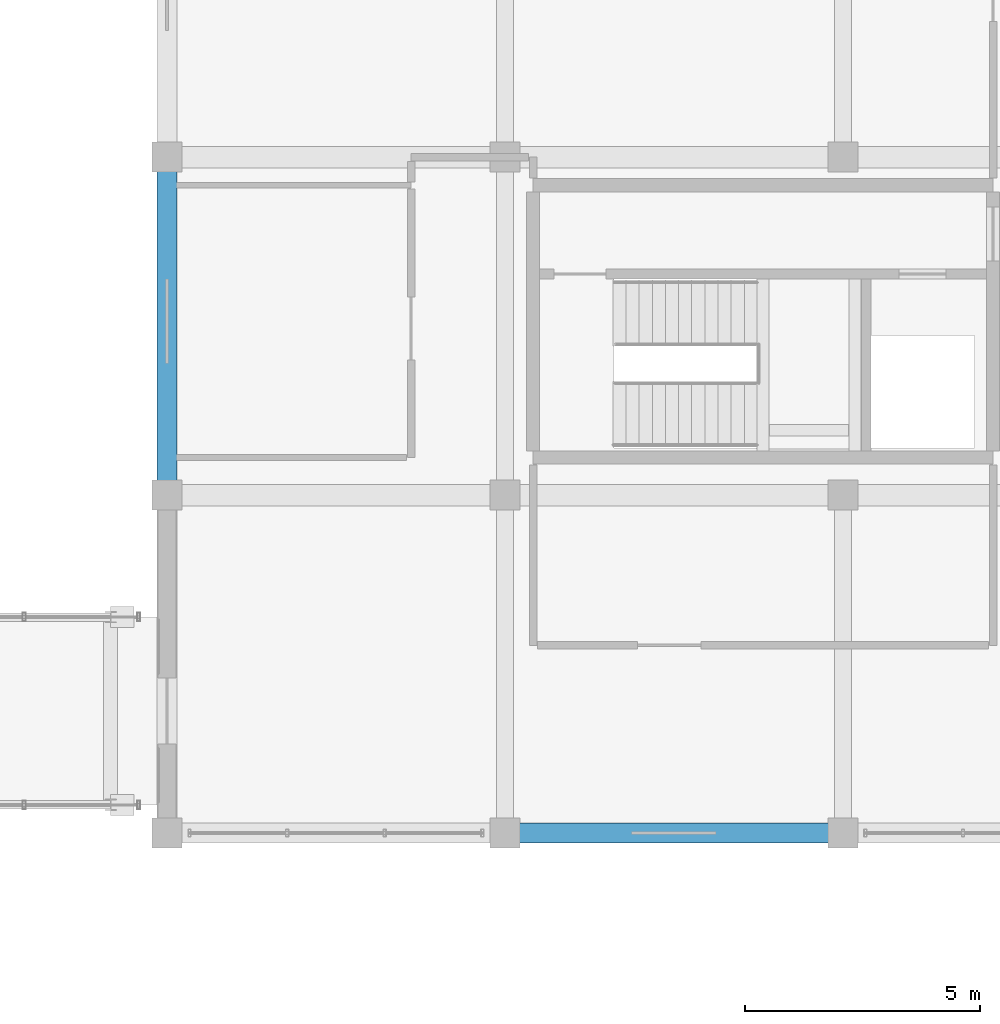
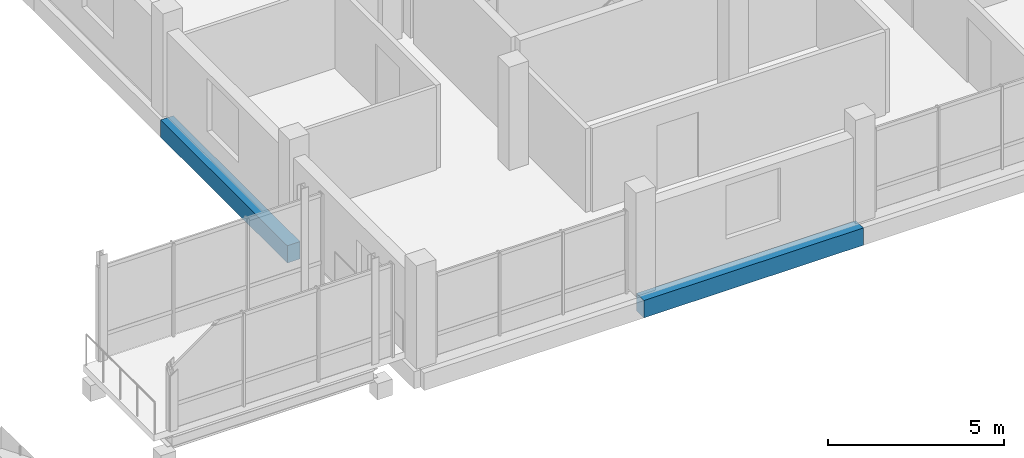
# One storey, part 85 of 128: 2 beams.
"""IFC4 building model written with IfcOpenShell, lengths in metres."""

import ifcopenshell
import ifcopenshell.guid

model = None  # the IFC model being written
_history = None  # IfcOwnerHistory: only IFC2X3 demands one
_inside = {}  # id of a spatial element -> (the spatial element, [elements in it])
_under = {}  # id of a project, library or spatial element -> (it, [spatial elements below it])
_declared = {}  # id of a project -> (the project, [libraries it declares])
_typed = {}  # id of a type object -> (the type object, [elements of that type])
_made_of = {}  # id of a material, layer set ... -> (it, [elements and type objects made of it])


def new_model(schema):
    """Start an empty IFC model of exactly this schema.

    Asked for "IFC4X3", IfcOpenShell would pick the latest addendum, in which some entities
    have other attributes; the version numbers below select the first issue.
    IFC2X3 requires an IfcOwnerHistory on every rooted entity: one is made here for all.
    """
    global model, _history
    if schema == "IFC4X3":
        model = ifcopenshell.file(schema_version=(4, 3, 0, 0))
    else:
        model = ifcopenshell.file(schema=schema)
    _inside.clear()
    _under.clear()
    _declared.clear()
    _typed.clear()
    _made_of.clear()
    _history = None
    if model.schema == "IFC2X3":
        org = make("IfcOrganization", Name="unknown")
        user = make(
            "IfcPersonAndOrganization",
            ThePerson=make("IfcPerson", FamilyName="unknown"),
            TheOrganization=org,
        )
        app = make(
            "IfcApplication",
            ApplicationDeveloper=org,
            Version="unknown",
            ApplicationFullName="unknown",
            ApplicationIdentifier="unknown",
        )
        _history = make(
            "IfcOwnerHistory",
            OwningUser=user,
            OwningApplication=app,
            ChangeAction="ADDED",
            CreationDate=0,
        )
    return model


def make(cls, **values):
    """One entity of the class cls with the attributes given. An attribute that is None is left unset."""
    return model.create_entity(
        cls, **{name: value for name, value in values.items() if value is not None}
    )


def rooted(cls, **values):
    """An entity with a GlobalId (a new one), such as an element, a storey or a relation."""
    return make(cls, GlobalId=ifcopenshell.guid.new(), OwnerHistory=_history, **values)


def si_unit(unit_type, name, prefix=None):
    """IfcSIUnit, for example si_unit("LENGTHUNIT", "METRE", prefix="MILLI")."""
    return make("IfcSIUnit", UnitType=unit_type, Prefix=prefix, Name=name)


def assignment(units):
    """IfcUnitAssignment: the units of a project."""
    return None if units is None else make("IfcUnitAssignment", Units=units)


def point(xyz):
    """IfcCartesianPoint."""
    return None if xyz is None else make("IfcCartesianPoint", Coordinates=xyz)


def direction(xyz):
    """IfcDirection."""
    return None if xyz is None else make("IfcDirection", DirectionRatios=xyz)


def frame(location, z_axis=None, x_axis=None):
    """IfcAxis2Placement3D, a coordinate frame: its origin and axes. An axis left out is left unset."""
    return make(
        "IfcAxis2Placement3D",
        Location=point(location),
        Axis=direction(z_axis),
        RefDirection=direction(x_axis),
    )


def frame_2d(location, x_axis=None):
    """IfcAxis2Placement2D, a coordinate frame in the plane: its origin and x axis."""
    return make(
        "IfcAxis2Placement2D", Location=point(location), RefDirection=direction(x_axis)
    )


def origin():
    """The frame at (0, 0, 0) with its axes left unset."""
    return frame((0.0, 0.0, 0.0))


def origin_2d():
    """The frame at (0, 0) in the plane with its x axis left unset."""
    return frame_2d((0.0, 0.0))


def place(relative_to, where):
    """IfcLocalPlacement: puts the frame where relative to a parent placement (None: the world)."""
    return make(
        "IfcLocalPlacement", PlacementRelTo=relative_to, RelativePlacement=where
    )


def context(
    kind, dimensions, precision=None, world=None, true_north=None, identifier=None
):
    """IfcGeometricRepresentationContext, for example the 3D "Model" context."""
    return make(
        "IfcGeometricRepresentationContext",
        ContextIdentifier=identifier,
        ContextType=kind,
        CoordinateSpaceDimension=dimensions,
        Precision=precision,
        WorldCoordinateSystem=world,
        TrueNorth=true_north,
    )


def subcontext(parent, identifier, kind, view, scale=None):
    """IfcGeometricRepresentationSubContext, for example "Body" below "Model"."""
    return make(
        "IfcGeometricRepresentationSubContext",
        ContextIdentifier=identifier,
        ContextType=kind,
        ParentContext=parent,
        TargetScale=scale,
        TargetView=view,
    )


def project(units=None, contexts=None):
    """IfcProject with its units and contexts."""
    return rooted(
        "IfcProject",
        Name="project",
        RepresentationContexts=contexts,
        UnitsInContext=assignment(units),
    )


def spatial(cls, under=None, at=None, **own):
    """A site, building, storey or space (cls), placed at a placement, below another one or the project."""
    s = rooted(cls, ObjectPlacement=at, **own)
    if under is not None:
        _under.setdefault(under.id(), (under, []))[1].append(s)
    return s


def profile(cls, at=None, kind="AREA", **sizes):
    """A parametric profile (cls). Its sizes go by their IFC names, for example OverallWidth=200.0."""
    return make(cls, ProfileType=kind, Position=at, **sizes)


def rectangle(**sizes):
    """IfcRectangleProfileDef."""
    return profile("IfcRectangleProfileDef", **sizes)


def extrude(swept, where, along, depth):
    """IfcExtrudedAreaSolid: the profile swept, set in the frame where, extruded along a direction by depth."""
    return make(
        "IfcExtrudedAreaSolid",
        SweptArea=swept,
        Position=where,
        ExtrudedDirection=direction(along),
        Depth=depth,
    )


def shape(context_of_items, identifier, shape_type, items):
    """IfcShapeRepresentation: the items that make up one representation, for example the "Body"."""
    return make(
        "IfcShapeRepresentation",
        ContextOfItems=context_of_items,
        RepresentationIdentifier=identifier,
        RepresentationType=shape_type,
        Items=items,
    )


def material(Name=None, Category=None):
    """IfcMaterial."""
    return make("IfcMaterial", Name=Name, Category=Category)


def material_profile(
    of_material, cross_section, Name=None, Category=None, Priority=None
):
    """IfcMaterialProfile: a cross section and its material."""
    return make(
        "IfcMaterialProfile",
        Name=Name,
        Material=of_material,
        Profile=cross_section,
        Priority=Priority,
        Category=Category,
    )


def profile_set(profiles, Name=None, composite=None):
    """IfcMaterialProfileSet."""
    return make(
        "IfcMaterialProfileSet",
        Name=Name,
        MaterialProfiles=profiles,
        CompositeProfile=composite,
    )


def made_of(thing, what):
    """Note that an element or type object is made of a material, layer set ...; save() writes the relation."""
    if what is not None:
        _made_of.setdefault(what.id(), (what, []))[1].append(thing)
    return thing


def type_object(cls, material=None, **own):
    """A type object (cls), such as IfcWallType, which elements share."""
    return made_of(rooted(cls, **own), material)


def element(
    cls,
    number,
    at=None,
    inside=None,
    cuts=None,
    type_object=None,
    material=None,
    context=None,
    identifier="Body",
    shape_type=None,
    held_by="IfcProductDefinitionShape",
    body=None,
    shapes=None,
    **own,
):
    """One element of the class cls, such as IfcWall. Its Tag is "e" and its number.

    at: its placement. inside: the storey or other place that contains it. cuts: it is an
    opening in that element (IfcRelVoidsElement). A single representation is given by context,
    identifier, shape_type and body (its items); several are given by shapes. held_by: the class
    of the entity that holds the representations. save() writes the other relations.
    """
    e = rooted(cls, Tag="e%d" % number, ObjectPlacement=at, **own)
    if body is not None:
        shapes = [shape(context, identifier, shape_type, body)]
    if shapes is not None:
        e.Representation = make(held_by, Representations=shapes)
    if inside is not None:
        _inside.setdefault(inside.id(), (inside, []))[1].append(e)
    if cuts is not None:
        rooted(
            "IfcRelVoidsElement", RelatingBuildingElement=cuts, RelatedOpeningElement=e
        )
    if type_object is not None:
        _typed.setdefault(type_object.id(), (type_object, []))[1].append(e)
    return made_of(e, material)


def aggregate(whole, parts):
    """IfcRelAggregates: a whole, such as a stair, and the parts it consists of."""
    return rooted("IfcRelAggregates", RelatingObject=whole, RelatedObjects=parts)


def save(model, path):
    """Write the relations noted so far, then the file.

    IfcRelAggregates (storeys below a building ...), IfcRelContainedInSpatialStructure (elements
    in a storey), IfcRelDefinesByType, IfcRelAssociatesMaterial and IfcRelDeclares: one each for
    every whole, place, type object, material and project.
    """
    for whole, parts in _under.values():
        aggregate(whole, parts)
    for where, things in _inside.values():
        rooted(
            "IfcRelContainedInSpatialStructure",
            RelatedElements=things,
            RelatingStructure=where,
        )
    for kind, things in _typed.values():
        rooted("IfcRelDefinesByType", RelatedObjects=things, RelatingType=kind)
    for what, things in _made_of.values():
        rooted("IfcRelAssociatesMaterial", RelatedObjects=things, RelatingMaterial=what)
    for by, libraries in _declared.values():
        rooted("IfcRelDeclares", RelatingContext=by, RelatedDefinitions=libraries)
    model.write(path)


model = new_model("IFC4")

# Units and contexts
model_context = context("Model", 3, precision=1e-05, world=origin(), true_north=direction((0.0, 1.0)))
body_context = subcontext(model_context, "Body", "Model", "MODEL_VIEW")
ifc_project = project(units=[si_unit("LENGTHUNIT", "METRE"), si_unit("AREAUNIT", "SQUARE_METRE"), si_unit("VOLUMEUNIT", "CUBIC_METRE"), si_unit("PLANEANGLEUNIT", "RADIAN"), si_unit("MASSUNIT", "GRAM", prefix="KILO")], contexts=[model_context])

# Site, building, storey
site_placement = place(None, origin())
site = spatial("IfcSite", under=ifc_project, at=site_placement, CompositionType="ELEMENT")
building_placement = place(site_placement, origin())
building = spatial("IfcBuilding", under=site, at=building_placement, Name="Zornivar Specialist Clinic", CompositionType="ELEMENT")
storey_placement = place(building_placement, frame((0.0, 0.0, 4.5)))
storey = spatial("IfcBuildingStorey", under=building, at=storey_placement, Name="L01", CompositionType="ELEMENT", Elevation=4.5)

# Beams
ifc_material = material(Name="Concrete C30/37", Category="concrete")
ifc_material_profile = material_profile(ifc_material, rectangle(XDim=0.419921875, YDim=0.60009765625, at=origin_2d()), Name="RC 420x600")
ifc_profile_set = profile_set([ifc_material_profile], Name="Concrete C30/37")
beam_type = type_object("IfcBeamType", Name="BM-RC-SPANDREL-420x600", PredefinedType="SPANDREL", material=ifc_profile_set)
for number, where, z_axis, x_axis, name in (
    (1, (144.0, 64.800048828125, -0.6201171875), (1.0, 0.0, 0.0), (0.0, 1.0, 0.0), "bm:V6:L01:x:648:1"),
    (2, (136.800048828125, 72.0, -0.6201171875), (0.0, 1.0, 0.0), (-1.0, 0.0, 0.0), "bm:V6:L01:y:1368:1"),
):
    element("IfcBeam", number, at=place(storey_placement, frame(where, z_axis=z_axis, x_axis=x_axis)), inside=storey, type_object=beam_type, Name=name, PredefinedType="SPANDREL", context=body_context, shape_type="SweptSolid", body=[
        extrude(rectangle(XDim=0.419921875, YDim=0.60009765625, at=origin_2d()), origin(), (0.0, 0.0, 1.0), 7.199951171875),
    ])

save(model, "model.ifc")
